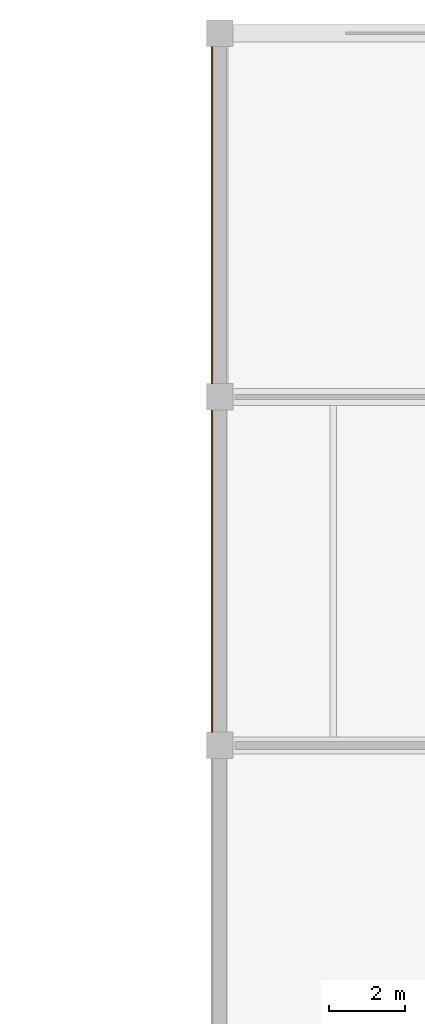
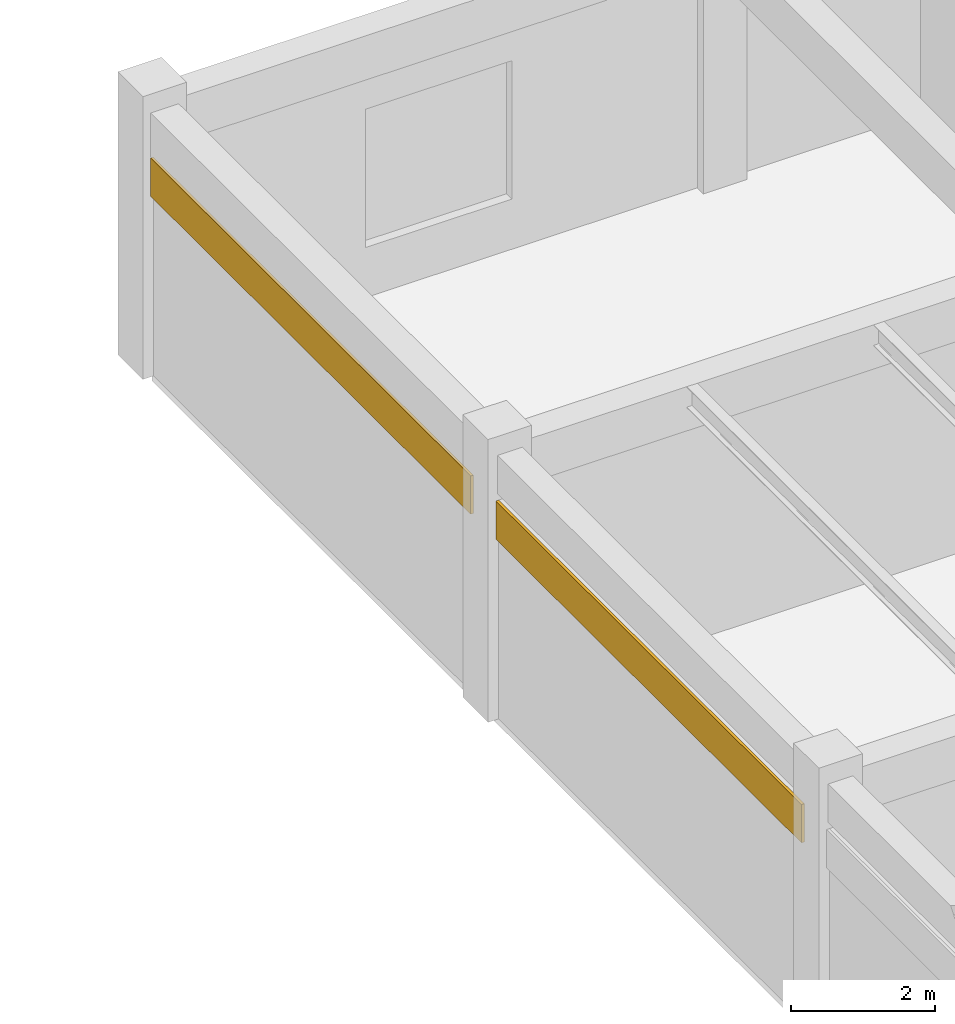
# One storey, part 61 of 61: 2 coverings.
"""IFC4 building model written with IfcOpenShell, lengths in metres."""

from ifc_helpers import new_model, si_unit, direction, frame, frame_2d, origin, place, context, subcontext, project, spatial, rectangle, extrude, material, layer, layer_set, type_object, element, save


model = new_model("IFC4")

# Units and contexts
model_context = context("Model", 3, precision=1e-05, world=origin(), true_north=direction((0.0, 1.0)))
body_context = subcontext(model_context, "Body", "Model", "MODEL_VIEW")
ifc_project = project(units=[si_unit("LENGTHUNIT", "METRE"), si_unit("AREAUNIT", "SQUARE_METRE"), si_unit("VOLUMEUNIT", "CUBIC_METRE"), si_unit("PLANEANGLEUNIT", "RADIAN"), si_unit("MASSUNIT", "GRAM", prefix="KILO")], contexts=[model_context])

# Site, building, storey
site_placement = place(None, origin())
site = spatial("IfcSite", under=ifc_project, at=site_placement, CompositionType="ELEMENT")
building_placement = place(site_placement, origin())
building = spatial("IfcBuilding", under=site, at=building_placement, Name="Bozkorgan Art Gallery", CompositionType="ELEMENT")
storey_placement = place(building_placement, frame((0.0, 0.0, 10.199951171875)))
storey = spatial("IfcBuildingStorey", under=building, at=storey_placement, Name="L02", CompositionType="ELEMENT", Elevation=10.199951171875)

# Coverings
ifc_material = material(Name="Polychrome Vitrified Ceramic Tile")
ifc_layer = layer(ifc_material, 0.044921875, Name="Polychrome Vitrified Ceramic Tile")
ifc_layer_set = layer_set([ifc_layer], Name="Polychrome Vitrified Ceramic Tile")
covering_type = type_object("IfcCoveringType", Name="COV-CLAD-01", PredefinedType="CLADDING", material=ifc_layer_set)
covering_1_placement = place(storey_placement, frame((136.797607421875, 93.949951171875, 3.06494140625), z_axis=(0.0, 0.0, 1.0), x_axis=(0.0, 1.0, 0.0)))
element("IfcCovering", 1, at=covering_1_placement, inside=storey, type_object=covering_type, Name="V5 L02 polychrome trencadis ceramic frieze", PredefinedType="CLADDING", context=body_context, shape_type="SweptSolid", body=[
    extrude(rectangle(XDim=8.5, YDim=0.044921875, at=frame_2d((4.25, 0.0))), origin(), (0.0, 0.0, 1.0), 0.650146484375),
])
covering_2_placement = place(storey_placement, frame((136.797607421875, 103.14990234375, 3.06494140625), z_axis=(0.0, 0.0, 1.0), x_axis=(0.0, 1.0, 0.0)))
element("IfcCovering", 2, at=covering_2_placement, inside=storey, type_object=covering_type, Name="V5 L02 polychrome trencadis ceramic frieze", PredefinedType="CLADDING", context=body_context, shape_type="SweptSolid", body=[
    extrude(rectangle(XDim=8.900146484375, YDim=0.044921875, at=frame_2d((4.4501953125, 0.0))), origin(), (0.0, 0.0, 1.0), 0.650146484375),
])

save(model, "model.ifc")
